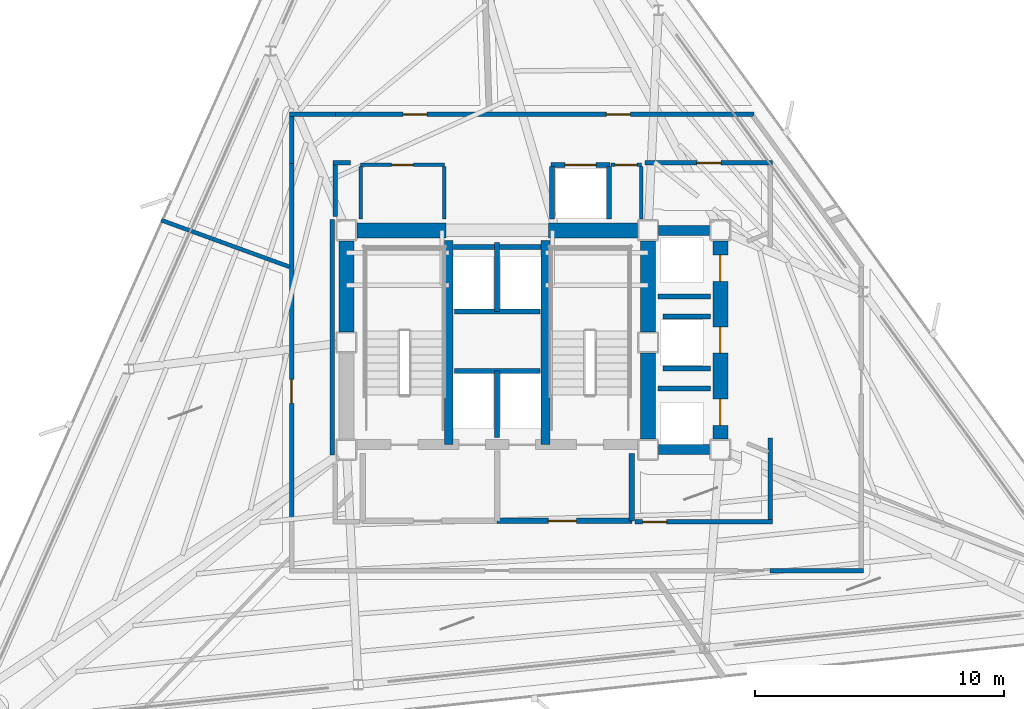
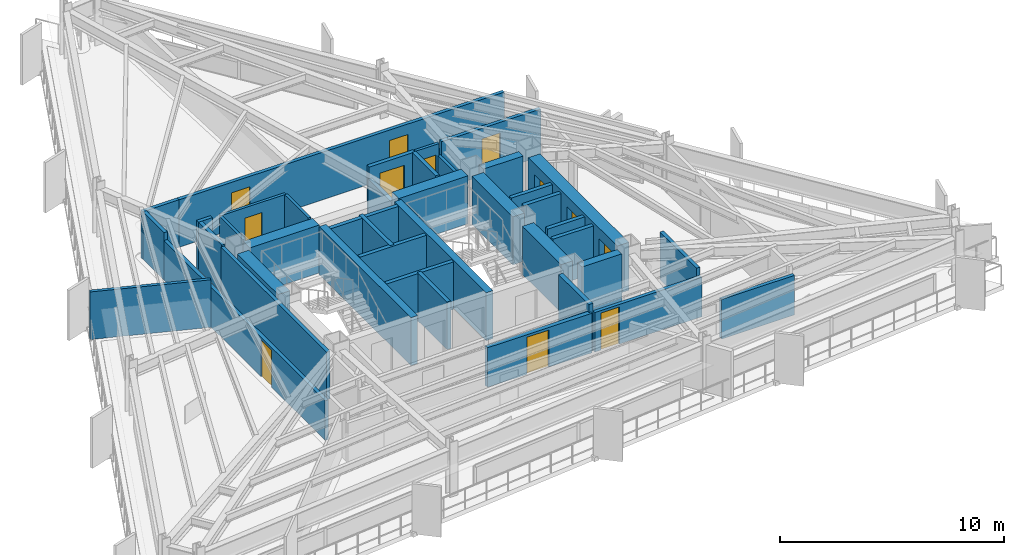
# One storey, part 8 of 13: 41 walls, 12 doors, 12 openings.
"""IFC4 building model written with IfcOpenShell, lengths in metres."""

import ifcopenshell
import ifcopenshell.guid

model = None  # the IFC model being written
_history = None  # IfcOwnerHistory: only IFC2X3 demands one
_inside = {}  # id of a spatial element -> (the spatial element, [elements in it])
_under = {}  # id of a project, library or spatial element -> (it, [spatial elements below it])
_declared = {}  # id of a project -> (the project, [libraries it declares])
_typed = {}  # id of a type object -> (the type object, [elements of that type])
_made_of = {}  # id of a material, layer set ... -> (it, [elements and type objects made of it])


def new_model(schema):
    """Start an empty IFC model of exactly this schema.

    Asked for "IFC4X3", IfcOpenShell would pick the latest addendum, in which some entities
    have other attributes; the version numbers below select the first issue.
    IFC2X3 requires an IfcOwnerHistory on every rooted entity: one is made here for all.
    """
    global model, _history
    if schema == "IFC4X3":
        model = ifcopenshell.file(schema_version=(4, 3, 0, 0))
    else:
        model = ifcopenshell.file(schema=schema)
    _inside.clear()
    _under.clear()
    _declared.clear()
    _typed.clear()
    _made_of.clear()
    _history = None
    if model.schema == "IFC2X3":
        org = make("IfcOrganization", Name="unknown")
        user = make(
            "IfcPersonAndOrganization",
            ThePerson=make("IfcPerson", FamilyName="unknown"),
            TheOrganization=org,
        )
        app = make(
            "IfcApplication",
            ApplicationDeveloper=org,
            Version="unknown",
            ApplicationFullName="unknown",
            ApplicationIdentifier="unknown",
        )
        _history = make(
            "IfcOwnerHistory",
            OwningUser=user,
            OwningApplication=app,
            ChangeAction="ADDED",
            CreationDate=0,
        )
    return model


def make(cls, **values):
    """One entity of the class cls with the attributes given. An attribute that is None is left unset."""
    return model.create_entity(
        cls, **{name: value for name, value in values.items() if value is not None}
    )


def rooted(cls, **values):
    """An entity with a GlobalId (a new one), such as an element, a storey or a relation."""
    return make(cls, GlobalId=ifcopenshell.guid.new(), OwnerHistory=_history, **values)


def si_unit(unit_type, name, prefix=None):
    """IfcSIUnit, for example si_unit("LENGTHUNIT", "METRE", prefix="MILLI")."""
    return make("IfcSIUnit", UnitType=unit_type, Prefix=prefix, Name=name)


def assignment(units):
    """IfcUnitAssignment: the units of a project."""
    return None if units is None else make("IfcUnitAssignment", Units=units)


def point(xyz):
    """IfcCartesianPoint."""
    return None if xyz is None else make("IfcCartesianPoint", Coordinates=xyz)


def direction(xyz):
    """IfcDirection."""
    return None if xyz is None else make("IfcDirection", DirectionRatios=xyz)


def frame(location, z_axis=None, x_axis=None):
    """IfcAxis2Placement3D, a coordinate frame: its origin and axes. An axis left out is left unset."""
    return make(
        "IfcAxis2Placement3D",
        Location=point(location),
        Axis=direction(z_axis),
        RefDirection=direction(x_axis),
    )


def frame_2d(location, x_axis=None):
    """IfcAxis2Placement2D, a coordinate frame in the plane: its origin and x axis."""
    return make(
        "IfcAxis2Placement2D", Location=point(location), RefDirection=direction(x_axis)
    )


def origin():
    """The frame at (0, 0, 0) with its axes left unset."""
    return frame((0.0, 0.0, 0.0))


def place(relative_to, where):
    """IfcLocalPlacement: puts the frame where relative to a parent placement (None: the world)."""
    return make(
        "IfcLocalPlacement", PlacementRelTo=relative_to, RelativePlacement=where
    )


def context(
    kind, dimensions, precision=None, world=None, true_north=None, identifier=None
):
    """IfcGeometricRepresentationContext, for example the 3D "Model" context."""
    return make(
        "IfcGeometricRepresentationContext",
        ContextIdentifier=identifier,
        ContextType=kind,
        CoordinateSpaceDimension=dimensions,
        Precision=precision,
        WorldCoordinateSystem=world,
        TrueNorth=true_north,
    )


def subcontext(parent, identifier, kind, view, scale=None):
    """IfcGeometricRepresentationSubContext, for example "Body" below "Model"."""
    return make(
        "IfcGeometricRepresentationSubContext",
        ContextIdentifier=identifier,
        ContextType=kind,
        ParentContext=parent,
        TargetScale=scale,
        TargetView=view,
    )


def project(units=None, contexts=None):
    """IfcProject with its units and contexts."""
    return rooted(
        "IfcProject",
        Name="project",
        RepresentationContexts=contexts,
        UnitsInContext=assignment(units),
    )


def spatial(cls, under=None, at=None, **own):
    """A site, building, storey or space (cls), placed at a placement, below another one or the project."""
    s = rooted(cls, ObjectPlacement=at, **own)
    if under is not None:
        _under.setdefault(under.id(), (under, []))[1].append(s)
    return s


def profile(cls, at=None, kind="AREA", **sizes):
    """A parametric profile (cls). Its sizes go by their IFC names, for example OverallWidth=200.0."""
    return make(cls, ProfileType=kind, Position=at, **sizes)


def rectangle(**sizes):
    """IfcRectangleProfileDef."""
    return profile("IfcRectangleProfileDef", **sizes)


def extrude(swept, where, along, depth):
    """IfcExtrudedAreaSolid: the profile swept, set in the frame where, extruded along a direction by depth."""
    return make(
        "IfcExtrudedAreaSolid",
        SweptArea=swept,
        Position=where,
        ExtrudedDirection=direction(along),
        Depth=depth,
    )


def shape(context_of_items, identifier, shape_type, items):
    """IfcShapeRepresentation: the items that make up one representation, for example the "Body"."""
    return make(
        "IfcShapeRepresentation",
        ContextOfItems=context_of_items,
        RepresentationIdentifier=identifier,
        RepresentationType=shape_type,
        Items=items,
    )


def material(Name=None, Category=None):
    """IfcMaterial."""
    return make("IfcMaterial", Name=Name, Category=Category)


def layer(
    of_material, thickness, ventilated=None, Name=None, Category=None, Priority=None
):
    """IfcMaterialLayer: one layer of a wall or slab, of a material (None: an air gap)."""
    return make(
        "IfcMaterialLayer",
        Material=of_material,
        LayerThickness=thickness,
        IsVentilated=ventilated,
        Name=Name,
        Category=Category,
        Priority=Priority,
    )


def layer_set(layers, Name=None):
    """IfcMaterialLayerSet."""
    return make("IfcMaterialLayerSet", MaterialLayers=layers, LayerSetName=Name)


def made_of(thing, what):
    """Note that an element or type object is made of a material, layer set ...; save() writes the relation."""
    if what is not None:
        _made_of.setdefault(what.id(), (what, []))[1].append(thing)
    return thing


def type_object(cls, material=None, **own):
    """A type object (cls), such as IfcWallType, which elements share."""
    return made_of(rooted(cls, **own), material)


def element(
    cls,
    number,
    at=None,
    inside=None,
    cuts=None,
    type_object=None,
    material=None,
    context=None,
    identifier="Body",
    shape_type=None,
    held_by="IfcProductDefinitionShape",
    body=None,
    shapes=None,
    **own,
):
    """One element of the class cls, such as IfcWall. Its Tag is "e" and its number.

    at: its placement. inside: the storey or other place that contains it. cuts: it is an
    opening in that element (IfcRelVoidsElement). A single representation is given by context,
    identifier, shape_type and body (its items); several are given by shapes. held_by: the class
    of the entity that holds the representations. save() writes the other relations.
    """
    e = rooted(cls, Tag="e%d" % number, ObjectPlacement=at, **own)
    if body is not None:
        shapes = [shape(context, identifier, shape_type, body)]
    if shapes is not None:
        e.Representation = make(held_by, Representations=shapes)
    if inside is not None:
        _inside.setdefault(inside.id(), (inside, []))[1].append(e)
    if cuts is not None:
        rooted(
            "IfcRelVoidsElement", RelatingBuildingElement=cuts, RelatedOpeningElement=e
        )
    if type_object is not None:
        _typed.setdefault(type_object.id(), (type_object, []))[1].append(e)
    return made_of(e, material)


def fill(opening, filler):
    """IfcRelFillsElement: the door or window that sits in an opening."""
    return rooted(
        "IfcRelFillsElement",
        RelatingOpeningElement=opening,
        RelatedBuildingElement=filler,
    )


def aggregate(whole, parts):
    """IfcRelAggregates: a whole, such as a stair, and the parts it consists of."""
    return rooted("IfcRelAggregates", RelatingObject=whole, RelatedObjects=parts)


def save(model, path):
    """Write the relations noted so far, then the file.

    IfcRelAggregates (storeys below a building ...), IfcRelContainedInSpatialStructure (elements
    in a storey), IfcRelDefinesByType, IfcRelAssociatesMaterial and IfcRelDeclares: one each for
    every whole, place, type object, material and project.
    """
    for whole, parts in _under.values():
        aggregate(whole, parts)
    for where, things in _inside.values():
        rooted(
            "IfcRelContainedInSpatialStructure",
            RelatedElements=things,
            RelatingStructure=where,
        )
    for kind, things in _typed.values():
        rooted("IfcRelDefinesByType", RelatedObjects=things, RelatingType=kind)
    for what, things in _made_of.values():
        rooted("IfcRelAssociatesMaterial", RelatedObjects=things, RelatingMaterial=what)
    for by, libraries in _declared.values():
        rooted("IfcRelDeclares", RelatingContext=by, RelatedDefinitions=libraries)
    model.write(path)


model = new_model("IFC4")

# Units and contexts
model_context = context("Model", 3, precision=1e-05, world=origin(), true_north=direction((0.0, 1.0)))
body_context = subcontext(model_context, "Body", "Model", "MODEL_VIEW")
ifc_project = project(units=[si_unit("LENGTHUNIT", "METRE"), si_unit("AREAUNIT", "SQUARE_METRE"), si_unit("VOLUMEUNIT", "CUBIC_METRE"), si_unit("PLANEANGLEUNIT", "RADIAN"), si_unit("MASSUNIT", "GRAM", prefix="KILO")], contexts=[model_context])

# Site, building, storey
site_placement = place(None, origin())
site = spatial("IfcSite", under=ifc_project, at=site_placement, CompositionType="ELEMENT")
building_placement = place(site_placement, origin())
building = spatial("IfcBuilding", under=site, at=building_placement, Name="Rocaltana Carrier Exchange", CompositionType="ELEMENT")
storey_placement = place(building_placement, frame((0.0, 0.0, 122.8798828125)))
storey = spatial("IfcBuildingStorey", under=building, at=storey_placement, Name="L38", CompositionType="ELEMENT", Elevation=122.8798828125)

# Walls
ifc_material_1 = material(Name="Double Acoustic Gypsum Partition", Category="gypsum")
ifc_layer_1 = layer(ifc_material_1, 0.159912109375)
ifc_layer_set_1 = layer_set([ifc_layer_1], Name="Double Acoustic Gypsum Partition")
wall_type_1 = type_object("IfcWallType", Name="Acoustic Studio Partition 160 EI60", PredefinedType="PARTITIONING", material=ifc_layer_set_1)
wall_1_placement = place(storey_placement, frame((-8.330078125, 3.031982421875, 0.0), z_axis=(0.0, 0.0, 1.0), x_axis=(-0.939693198397, 0.342018556347, 0.0)))
element("IfcWall", 1, at=wall_1_placement, inside=storey, type_object=wall_type_1, Name="L38 Suite Divider Wall D10", PredefinedType="PARTITIONING", context=body_context, shape_type="SweptSolid", body=[
    extrude(rectangle(XDim=5.478515625, YDim=0.159912109375, at=frame_2d((2.7392578125, 0.0))), origin(), (0.0, 0.0, 1.0), 2.593017578125),
])
ifc_material_2 = material(Name="Concrete C50/60", Category="concrete")
ifc_layer_2 = layer(ifc_material_2, 0.35009765625)
ifc_layer_set_2 = layer_set([ifc_layer_2], Name="Concrete C50/60")
wall_type_2 = type_object("IfcWallType", Name="Core Internal Shear Wall 350", PredefinedType="SHEAR", material=ifc_layer_set_2)
for number, where, z_axis, x_axis, name in (
    (2, (-1.93994140625, -4.10009765625, 0.0), (0.0, 0.0, 1.0), (0.0, 1.0, 0.0), "L38 Core Shear Wall CW-STW"),
    (3, (1.93994140625, -4.10009765625, 0.0), (0.0, 0.0, 1.0), (0.0, 1.0, 0.0), "L38 Core Shear Wall CW-STE"),
):
    element("IfcWall", number, at=place(storey_placement, frame(where, z_axis=z_axis, x_axis=x_axis)), inside=storey, type_object=wall_type_2, Name=name, PredefinedType="SHEAR", context=body_context, shape_type="SweptSolid", body=[
        extrude(rectangle(XDim=8.2001953125, YDim=0.35009765625, at=frame_2d((4.10009765625, 0.0))), origin(), (0.0, 0.0, 1.0), 2.6181640625),
    ])
ifc_material_3 = material(Name="Concrete C50/60", Category="concrete")
ifc_layer_3 = layer(ifc_material_3, 0.39990234375)
ifc_layer_set_3 = layer_set([ifc_layer_3], Name="Concrete C50/60")
wall_type_3 = type_object("IfcWallType", Name="Core Internal Shear Wall 400", PredefinedType="SHEAR", material=ifc_layer_set_3)
for number, where, z_axis, x_axis, name in (
    (4, (6.47509765625, 4.5, 0.0), (0.0, 0.0, 1.0), (1.0, 0.0, 0.0), "L38 Core Shear Wall CW-EWN"),
    (5, (6.47509765625, -4.300048828125, 0.0), (0.0, 0.0, 1.0), (1.0, 0.0, 0.0), "L38 Core Shear Wall CW-EWS"),
):
    element("IfcWall", number, at=place(storey_placement, frame(where, z_axis=z_axis, x_axis=x_axis)), inside=storey, type_object=wall_type_3, Name=name, PredefinedType="SHEAR", context=body_context, shape_type="SweptSolid", body=[
        extrude(rectangle(XDim=2.0498046875, YDim=0.39990234375, at=frame_2d((1.02490234375, 0.0))), origin(), (0.0, 0.0, 1.0), 2.6181640625),
    ])
ifc_material_4 = material(Name="Concrete C50/60", Category="concrete")
ifc_layer_4 = layer(ifc_material_4, 0.60009765625)
ifc_layer_set_4 = layer_set([ifc_layer_4], Name="Concrete C50/60")
wall_type_4 = type_object("IfcWallType", Name="Core Shear Wall 600", PredefinedType="SHEAR", material=ifc_layer_set_4)
for number, where, z_axis, x_axis, name in (
    (6, (-6.050048828125, 0.425048828125, 0.0), (0.0, 0.0, 1.0), (0.0, 1.0, 0.0), "L38 Core Shear Wall CW-WN"),
    (7, (6.050048828125, 0.425048828125, 0.0), (0.0, 0.0, 1.0), (0.0, 1.0, 0.0), "L38 Core Shear Wall CW-EN"),
):
    element("IfcWall", number, at=place(storey_placement, frame(where, z_axis=z_axis, x_axis=x_axis)), inside=storey, type_object=wall_type_4, Name=name, PredefinedType="SHEAR", context=body_context, shape_type="SweptSolid", body=[
        extrude(rectangle(XDim=3.64990234375, YDim=0.60009765625, at=frame_2d((1.824951171875, 0.0))), origin(), (0.0, 0.0, 1.0), 2.6181640625),
    ])
wall_2_placement = place(storey_placement, frame((6.050048828125, -3.875, 0.0), z_axis=(0.0, 0.0, 1.0), x_axis=(0.0, 1.0, 0.0)))
element("IfcWall", 8, at=wall_2_placement, inside=storey, type_object=wall_type_4, Name="L38 Core Shear Wall CW-ES", PredefinedType="SHEAR", context=body_context, shape_type="SweptSolid", body=[
    extrude(rectangle(XDim=3.449951171875, YDim=0.60009765625, at=frame_2d((1.72509765625, 0.0))), origin(), (0.0, 0.0, 1.0), 2.6181640625),
])
for number, where, z_axis, x_axis, name in (
    (9, (-5.625, 4.5, 0.0), (0.0, 0.0, 1.0), (1.0, 0.0, 0.0), "L38 Core Shear Wall CW-N1"),
    (10, (2.050048828125, 4.5, 0.0), (0.0, 0.0, 1.0), (1.0, 0.0, 0.0), "L38 Core Shear Wall CW-N2"),
):
    element("IfcWall", number, at=place(storey_placement, frame(where, z_axis=z_axis, x_axis=x_axis)), inside=storey, type_object=wall_type_4, Name=name, PredefinedType="SHEAR", context=body_context, shape_type="SweptSolid", body=[
        extrude(rectangle(XDim=3.574951171875, YDim=0.60009765625, at=frame_2d((1.78759765625, 0.0))), origin(), (0.0, 0.0, 1.0), 2.6181640625),
    ])

# Wall, openings, doors
wall_3_placement = place(storey_placement, frame((8.949951171875, -3.875, 0.0), z_axis=(0.0, 0.0, 1.0), x_axis=(0.0, 1.0, 0.0)))
wall_3 = element("IfcWall", 11, at=wall_3_placement, inside=storey, type_object=wall_type_4, Name="L38 Core Shear Wall CW-EW", PredefinedType="SHEAR", context=body_context, shape_type="SweptSolid", body=[
    extrude(rectangle(XDim=7.949951171875, YDim=0.60009765625, at=frame_2d((3.97509765625, 0.0))), origin(), (0.0, 0.0, 1.0), 2.6181640625),
])
opening_1_placement = place(wall_3_placement, frame((0.550048828125, 0.0, 0.0)))
opening_1 = element("IfcOpeningElement", 12, at=opening_1_placement, cuts=wall_3, Name="Opening LD-110", PredefinedType="OPENING", context=body_context, shape_type="SweptSolid", body=[
    extrude(rectangle(XDim=1.06005859375, YDim=2.0400390625, at=frame_2d((0.530029296875, 1.02001953125))), frame((0.0, 0.31005859375, 0.0), z_axis=(0.0, -1.0, 0.0), x_axis=(1.0, 0.0, 0.0)), (0.0, 0.0, 1.0), 0.6201171875),
])
opening_2_placement = place(wall_3_placement, frame((3.445068359375, 0.0, 0.0)))
opening_2 = element("IfcOpeningElement", 13, at=opening_2_placement, cuts=wall_3, Name="Opening LD-110", PredefinedType="OPENING", context=body_context, shape_type="SweptSolid", body=[
    extrude(rectangle(XDim=1.06005859375, YDim=2.0400390625, at=frame_2d((0.530029296875, 1.02001953125))), frame((0.0, 0.31005859375, 0.0), z_axis=(0.0, -1.0, 0.0), x_axis=(1.0, 0.0, 0.0)), (0.0, 0.0, 1.0), 0.6201171875),
])
opening_3_placement = place(wall_3_placement, frame((6.330078125, 0.0, 0.0)))
opening_3 = element("IfcOpeningElement", 14, at=opening_3_placement, cuts=wall_3, Name="Opening LD-110", PredefinedType="OPENING", context=body_context, shape_type="SweptSolid", body=[
    extrude(rectangle(XDim=1.06005859375, YDim=2.0400390625, at=frame_2d((0.530029296875, 1.02001953125))), frame((0.0, 0.31005859375, 0.0), z_axis=(0.0, -1.0, 0.0), x_axis=(1.0, 0.0, 0.0)), (0.0, 0.0, 1.0), 0.6201171875),
])
ifc_material_5 = material(Name="Brushed Stainless Sliding Door Leaf", Category="steel")
door_type_1 = type_object("IfcDoorType", Name="Lift Landing Sliding Door 1060x2040", OperationType="NOTDEFINED", PredefinedType="DOOR", material=ifc_material_5)
door_1_placement = place(opening_1_placement, origin())
door_1 = element("IfcDoor", 15, at=door_1_placement, inside=storey, type_object=door_type_1, Name="L38 Mid-Rise Lift PL-M1 Landing Door", OperationType="SLIDING_TO_LEFT", OverallHeight=2.0400390625, OverallWidth=1.06005859375, PredefinedType="DOOR", context=body_context, shape_type="SweptSolid", body=[
    extrude(rectangle(XDim=1.06005859375, YDim=2.0400390625, at=frame_2d((0.530029296875, 1.02001953125))), frame((0.0, 0.02490234375, 0.0), z_axis=(0.0, -1.0, 0.0), x_axis=(1.0, 0.0, 0.0)), (0.0, 0.0, 1.0), 0.050048828125),
])
fill(opening_1, door_1)
door_2_placement = place(opening_2_placement, origin())
door_2 = element("IfcDoor", 16, at=door_2_placement, inside=storey, type_object=door_type_1, Name="L38 Mid-Rise Lift PL-M2 Landing Door", OperationType="SLIDING_TO_RIGHT", OverallHeight=2.0400390625, OverallWidth=1.06005859375, PredefinedType="DOOR", context=body_context, shape_type="SweptSolid", body=[
    extrude(rectangle(XDim=1.06005859375, YDim=2.0400390625, at=frame_2d((0.530029296875, 1.02001953125))), frame((0.0, 0.02490234375, 0.0), z_axis=(0.0, -1.0, 0.0), x_axis=(1.0, 0.0, 0.0)), (0.0, 0.0, 1.0), 0.050048828125),
])
fill(opening_2, door_2)
door_3_placement = place(opening_3_placement, origin())
door_3 = element("IfcDoor", 17, at=door_3_placement, inside=storey, type_object=door_type_1, Name="L38 Mid-Rise Lift PL-M3 Landing Door", OperationType="SLIDING_TO_LEFT", OverallHeight=2.0400390625, OverallWidth=1.06005859375, PredefinedType="DOOR", context=body_context, shape_type="SweptSolid", body=[
    extrude(rectangle(XDim=1.06005859375, YDim=2.0400390625, at=frame_2d((0.530029296875, 1.02001953125))), frame((0.0, 0.02490234375, 0.0), z_axis=(0.0, -1.0, 0.0), x_axis=(1.0, 0.0, 0.0)), (0.0, 0.0, 1.0), 0.050048828125),
])
fill(opening_3, door_3)

# Wall, opening, door
ifc_material_6 = material(Name="Gypsum & Steel Stud Partition", Category="steel")
ifc_layer_5 = layer(ifc_material_6, 0.179931640625)
ifc_layer_set_5 = layer_set([ifc_layer_5], Name="Gypsum & Steel Stud Partition")
wall_type_5 = type_object("IfcWallType", Name="Corridor Fire Partition 180 EI60", PredefinedType="PARTITIONING", material=ifc_layer_set_5)
wall_4_placement = place(storey_placement, frame((-8.25, -7.219970703125, 0.0), z_axis=(0.0, 0.0, 1.0), x_axis=(0.0, 1.0, 0.0)))
wall_4 = element("IfcWall", 18, at=wall_4_placement, inside=storey, type_object=wall_type_5, Name="L38 Corridor Partition 3", PredefinedType="PARTITIONING", context=body_context, shape_type="SweptSolid", body=[
    extrude(rectangle(XDim=14.43994140625, YDim=0.179931640625, at=frame_2d((7.219970703125, 0.0))), origin(), (0.0, 0.0, 1.0), 2.16015625),
])
opening_4_placement = place(wall_4_placement, frame((4.77490234375, 0.0, 0.0)))
opening_4 = element("IfcOpeningElement", 19, at=opening_4_placement, cuts=wall_4, Name="Opening D-RM098", PredefinedType="OPENING", context=body_context, shape_type="SweptSolid", body=[
    extrude(rectangle(XDim=0.9599609375, YDim=2.02001953125, at=frame_2d((0.47998046875, 1.010009765625))), frame((0.0, 0.099853515625, 0.0), z_axis=(0.0, -1.0, 0.0), x_axis=(1.0, 0.0, 0.0)), (0.0, 0.0, 1.0), 0.199951171875),
])
ifc_material_7 = material(Name="Engineered Hardwood Timber", Category="wood")
door_type_2 = type_object("IfcDoorType", Name="Workspace Single Door 960x2020", OperationType="NOTDEFINED", PredefinedType="DOOR", material=ifc_material_7)
door_4_placement = place(opening_4_placement, origin())
door_4 = element("IfcDoor", 20, at=door_4_placement, inside=storey, type_object=door_type_2, Name="L38 Quiet Focus Lounge Entrance Door", OperationType="SINGLE_SWING_LEFT", OverallHeight=2.02001953125, OverallWidth=0.9599609375, PredefinedType="DOOR", context=body_context, shape_type="SweptSolid", body=[
    extrude(rectangle(XDim=0.9599609375, YDim=2.02001953125, at=frame_2d((0.47998046875, 1.010009765625))), frame((0.0, 0.02490234375, 0.0), z_axis=(0.0, -1.0, 0.0), x_axis=(1.0, 0.0, 0.0)), (0.0, 0.0, 1.0), 0.050048828125),
])
fill(opening_4, door_4)

# Walls
wall_5_placement = place(storey_placement, frame((-8.25, 7.179931640625, 0.0), z_axis=(0.0, 0.0, 1.0), x_axis=(0.0, 1.0, 0.0)))
element("IfcWall", 21, at=wall_5_placement, inside=storey, type_object=wall_type_5, Name="L38 Corridor Partition 4", PredefinedType="PARTITIONING", context=body_context, shape_type="SweptSolid", body=[
    extrude(rectangle(XDim=1.880126953125, YDim=0.179931640625, at=frame_2d((0.93994140625, 0.0))), origin(), (0.0, 0.0, 1.0), 2.593017578125),
])
wall_6_placement = place(storey_placement, frame((-8.340087890625, 9.14990234375, 0.0), z_axis=(0.0, 0.0, 1.0), x_axis=(1.0, 0.0, 0.0)))
element("IfcWall", 22, at=wall_6_placement, inside=storey, type_object=wall_type_5, Name="L38 Corridor Partition 5", PredefinedType="PARTITIONING", context=body_context, shape_type="SweptSolid", body=[
    extrude(rectangle(XDim=1.860107421875, YDim=0.179931640625, at=frame_2d((0.93017578125, 0.0))), origin(), (0.0, 0.0, 1.0), 2.593017578125),
])

# Wall, openings, doors
wall_7_placement = place(storey_placement, frame((-6.52001953125, 9.14990234375, 0.0), z_axis=(0.0, 0.0, 1.0), x_axis=(1.0, 0.0, 0.0)))
wall_7 = element("IfcWall", 23, at=wall_7_placement, inside=storey, type_object=wall_type_5, Name="L38 Corridor Partition 6", PredefinedType="PARTITIONING", context=body_context, shape_type="SweptSolid", body=[
    extrude(rectangle(XDim=16.820068359375, YDim=0.179931640625, at=frame_2d((8.41015625, 0.0))), origin(), (0.0, 0.0, 1.0), 2.593017578125),
])
opening_5_placement = place(wall_7_placement, frame((10.8984375, 0.0, 0.0)))
opening_5 = element("IfcOpeningElement", 24, at=opening_5_placement, cuts=wall_7, Name="Opening D-RM098", PredefinedType="OPENING", context=body_context, shape_type="SweptSolid", body=[
    extrude(rectangle(XDim=0.9599609375, YDim=2.02001953125, at=frame_2d((0.47998046875, 1.010009765625))), frame((0.0, 0.099853515625, 0.0), z_axis=(0.0, -1.0, 0.0), x_axis=(1.0, 0.0, 0.0)), (0.0, 0.0, 1.0), 0.199951171875),
])
opening_6_placement = place(wall_7_placement, frame((2.7490234375, 0.0, 0.0)))
opening_6 = element("IfcOpeningElement", 25, at=opening_6_placement, cuts=wall_7, Name="Opening D-RM098", PredefinedType="OPENING", context=body_context, shape_type="SweptSolid", body=[
    extrude(rectangle(XDim=0.9599609375, YDim=2.02001953125, at=frame_2d((0.47998046875, 1.010009765625))), frame((0.0, 0.099853515625, 0.0), z_axis=(0.0, -1.0, 0.0), x_axis=(1.0, 0.0, 0.0)), (0.0, 0.0, 1.0), 0.199951171875),
])
door_5_placement = place(opening_5_placement, origin())
door_5 = element("IfcDoor", 26, at=door_5_placement, inside=storey, type_object=door_type_2, Name="L38 Quiet Focus Lounge Entrance Door", OperationType="SINGLE_SWING_LEFT", OverallHeight=2.02001953125, OverallWidth=0.9599609375, PredefinedType="DOOR", context=body_context, shape_type="SweptSolid", body=[
    extrude(rectangle(XDim=0.9599609375, YDim=2.02001953125, at=frame_2d((0.47998046875, 1.010009765625))), frame((0.0, 0.02490234375, 0.0), z_axis=(0.0, -1.0, 0.0), x_axis=(1.0, 0.0, 0.0)), (0.0, 0.0, 1.0), 0.050048828125),
])
fill(opening_5, door_5)
door_6_placement = place(opening_6_placement, origin())
door_6 = element("IfcDoor", 27, at=door_6_placement, inside=storey, type_object=door_type_2, Name="L38 Quiet Focus Lounge Entrance Door", OperationType="SINGLE_SWING_RIGHT", OverallHeight=2.02001953125, OverallWidth=0.9599609375, PredefinedType="DOOR", context=body_context, shape_type="SweptSolid", body=[
    extrude(rectangle(XDim=0.9599609375, YDim=2.02001953125, at=frame_2d((0.47998046875, 1.010009765625))), frame((0.0, 0.02490234375, 0.0), z_axis=(0.0, -1.0, 0.0), x_axis=(1.0, 0.0, 0.0)), (0.0, 0.0, 1.0), 0.050048828125),
])
fill(opening_6, door_6)

# Wall
wall_8_placement = place(storey_placement, frame((14.68994140625, -9.14990234375, 0.0), z_axis=(0.0, 0.0, 1.0), x_axis=(-1.0, 0.0, 0.0)))
element("IfcWall", 28, at=wall_8_placement, inside=storey, type_object=wall_type_5, Name="L38 Corridor Partition 10", PredefinedType="PARTITIONING", context=body_context, shape_type="SweptSolid", body=[
    extrude(rectangle(XDim=3.75, YDim=0.179931640625, at=frame_2d((1.875, 0.0))), origin(), (0.0, 0.0, 1.0), 2.16015625),
])

# Wall, opening, door
wall_9_placement = place(storey_placement, frame((5.530029296875, -7.199951171875, 0.0), z_axis=(0.0, 0.0, 1.0), x_axis=(1.0, 0.0, 0.0)))
wall_9 = element("IfcWall", 29, at=wall_9_placement, inside=storey, type_object=wall_type_5, Name="L38 Corridor Partition 12", PredefinedType="PARTITIONING", context=body_context, shape_type="SweptSolid", body=[
    extrude(rectangle(XDim=5.52001953125, YDim=0.179931640625, at=frame_2d((2.760009765625, 0.0))), origin(), (0.0, 0.0, 1.0), 2.16015625),
])
opening_7_placement = place(wall_9_placement, frame((0.3046875, 0.0, 0.0)))
opening_7 = element("IfcOpeningElement", 30, at=opening_7_placement, cuts=wall_9, Name="Opening D-RM098", PredefinedType="OPENING", context=body_context, shape_type="SweptSolid", body=[
    extrude(rectangle(XDim=0.9599609375, YDim=2.02001953125, at=frame_2d((0.47998046875, 1.010009765625))), frame((0.0, 0.099853515625, 0.0), z_axis=(0.0, -1.0, 0.0), x_axis=(1.0, 0.0, 0.0)), (0.0, 0.0, 1.0), 0.199951171875),
])
door_7_placement = place(opening_7_placement, origin())
door_7 = element("IfcDoor", 31, at=door_7_placement, inside=storey, type_object=door_type_2, Name="L38 Cloud Architecture Office Entrance Door", OperationType="SINGLE_SWING_LEFT", OverallHeight=2.02001953125, OverallWidth=0.9599609375, PredefinedType="DOOR", context=body_context, shape_type="SweptSolid", body=[
    extrude(rectangle(XDim=0.9599609375, YDim=2.02001953125, at=frame_2d((0.47998046875, 1.010009765625))), frame((0.0, 0.02490234375, 0.0), z_axis=(0.0, -1.0, 0.0), x_axis=(1.0, 0.0, 0.0)), (0.0, 0.0, 1.0), 0.050048828125),
])
fill(opening_7, door_7)

# Wall
wall_10_placement = place(storey_placement, frame((10.9599609375, -7.110107421875, 0.0), z_axis=(0.0, 0.0, 1.0), x_axis=(0.0, 1.0, 0.0)))
element("IfcWall", 32, at=wall_10_placement, inside=storey, type_object=wall_type_5, Name="L38 Corridor Partition 13", PredefinedType="PARTITIONING", context=body_context, shape_type="SweptSolid", body=[
    extrude(rectangle(XDim=3.2705078125, YDim=0.179931640625, at=frame_2d((1.63525390625, 0.0))), origin(), (0.0, 0.0, 1.0), 2.593017578125),
])

# Wall, opening, door
wall_11_placement = place(storey_placement, frame((11.050048828125, 7.199951171875, 0.0), z_axis=(0.0, 0.0, 1.0), x_axis=(-1.0, 0.0, 0.0)))
wall_11 = element("IfcWall", 33, at=wall_11_placement, inside=storey, type_object=wall_type_5, Name="L38 Corridor Partition 15", PredefinedType="PARTITIONING", context=body_context, shape_type="SweptSolid", body=[
    extrude(rectangle(XDim=5.1201171875, YDim=0.179931640625, at=frame_2d((2.56005859375, 0.0))), origin(), (0.0, 0.0, 1.0), 2.593017578125),
])
opening_8_placement = place(wall_11_placement, frame((2.080078125, 0.0, 0.0)))
opening_8 = element("IfcOpeningElement", 34, at=opening_8_placement, cuts=wall_11, Name="Opening D-RM098", PredefinedType="OPENING", context=body_context, shape_type="SweptSolid", body=[
    extrude(rectangle(XDim=0.9599609375, YDim=2.02001953125, at=frame_2d((0.47998046875, 1.010009765625))), frame((0.0, 0.099853515625, 0.0), z_axis=(0.0, -1.0, 0.0), x_axis=(1.0, 0.0, 0.0)), (0.0, 0.0, 1.0), 0.199951171875),
])
door_8_placement = place(opening_8_placement, origin())
door_8 = element("IfcDoor", 35, at=door_8_placement, inside=storey, type_object=door_type_2, Name="L38 Peering Conference Room Entrance Door", OperationType="SINGLE_SWING_RIGHT", OverallHeight=2.02001953125, OverallWidth=0.9599609375, PredefinedType="DOOR", context=body_context, shape_type="SweptSolid", body=[
    extrude(rectangle(XDim=0.9599609375, YDim=2.02001953125, at=frame_2d((0.47998046875, 1.010009765625))), frame((0.0, 0.02490234375, 0.0), z_axis=(0.0, -1.0, 0.0), x_axis=(1.0, 0.0, 0.0)), (0.0, 0.0, 1.0), 0.050048828125),
])
fill(opening_8, door_8)

# Walls
wall_12_placement = place(storey_placement, frame((-5.8798828125, 7.199951171875, 0.0), z_axis=(0.0, 0.0, 1.0), x_axis=(-1.0, 0.0, 0.0)))
element("IfcWall", 36, at=wall_12_placement, inside=storey, type_object=wall_type_5, Name="L38 Corridor Partition 16", PredefinedType="PARTITIONING", context=body_context, shape_type="SweptSolid", body=[
    extrude(rectangle(XDim=0.710205078125, YDim=0.179931640625, at=frame_2d((0.35498046875, 0.0))), origin(), (0.0, 0.0, 1.0), 2.593017578125),
])
wall_13_placement = place(storey_placement, frame((-6.5, 7.110107421875, 0.0), z_axis=(0.0, 0.0, 1.0), x_axis=(0.0, -1.0, 0.0)))
element("IfcWall", 37, at=wall_13_placement, inside=storey, type_object=wall_type_5, Name="L38 Corridor Partition 17", PredefinedType="PARTITIONING", context=body_context, shape_type="SweptSolid", body=[
    extrude(rectangle(XDim=2.058349609375, YDim=0.179931640625, at=frame_2d((1.029296875, 0.0))), origin(), (0.0, 0.0, 1.0), 2.593017578125),
])
wall_14_placement = place(storey_placement, frame((-6.610107421875, 4.93994140625, 0.0), z_axis=(0.0, 0.0, 1.0), x_axis=(0.0, -1.0, 0.0)))
element("IfcWall", 38, at=wall_14_placement, inside=storey, type_object=wall_type_5, Name="L38 Corridor Partition 18", PredefinedType="PARTITIONING", context=body_context, shape_type="SweptSolid", body=[
    extrude(rectangle(XDim=9.4599609375, YDim=0.179931640625, at=frame_2d((4.72998046875, 0.0))), origin(), (0.0, 0.0, 1.0), 2.593017578125),
])
ifc_material_8 = material(Name="Autoclaved Aerated Concrete C30/37", Category="concrete")
ifc_layer_6 = layer(ifc_material_8, 0.219970703125)
ifc_layer_set_6 = layer_set([ifc_layer_6], Name="Autoclaved Aerated Concrete C30/37")
wall_type_6 = type_object("IfcWallType", Name="Firefighting Lobby Wall 220 EI120", PredefinedType="PARTITIONING", material=ifc_layer_set_6)
wall_15_placement = place(storey_placement, frame((5.39990234375, -7.159912109375, 0.0), z_axis=(0.0, 0.0, 1.0), x_axis=(0.0, 1.0, 0.0)))
element("IfcWall", 39, at=wall_15_placement, inside=storey, type_object=wall_type_6, Name="L38 FFL Lobby 2 East Wall", PredefinedType="PARTITIONING", context=body_context, shape_type="SweptSolid", body=[
    extrude(rectangle(XDim=2.7099609375, YDim=0.219970703125, at=frame_2d((1.35498046875, 0.0))), origin(), (0.0, 0.0, 1.0), 2.593017578125),
])

# Wall, opening, door
wall_16_placement = place(storey_placement, frame((0.0, -7.159912109375, 0.0), z_axis=(0.0, 0.0, 1.0), x_axis=(1.0, 0.0, 0.0)))
wall_16 = element("IfcWall", 40, at=wall_16_placement, inside=storey, type_object=wall_type_6, Name="L38 FFL Lobby 2 South Wall", PredefinedType="PARTITIONING", context=body_context, shape_type="SweptSolid", body=[
    extrude(rectangle(XDim=5.39990234375, YDim=0.219970703125, at=frame_2d((2.699951171875, 0.0))), origin(), (0.0, 0.0, 1.0), 2.16015625),
])
opening_9_placement = place(wall_16_placement, frame((2.050048828125, 0.0, 0.0)))
opening_9 = element("IfcOpeningElement", 41, at=opening_9_placement, cuts=wall_16, Name="Opening D-FF115", PredefinedType="OPENING", context=body_context, shape_type="SweptSolid", body=[
    extrude(rectangle(XDim=1.1201171875, YDim=2.02001953125, at=frame_2d((0.56005859375, 1.010009765625))), frame((0.0, 0.119873046875, 0.0), z_axis=(0.0, -1.0, 0.0), x_axis=(1.0, 0.0, 0.0)), (0.0, 0.0, 1.0), 0.239990234375),
])
ifc_material_9 = material(Name="Hollow Metal Fire Door Assembly", Category="steel")
door_type_3 = type_object("IfcDoorType", Name="Firefighting Lobby Door 1120x2020 FD60S", OperationType="NOTDEFINED", PredefinedType="DOOR", material=ifc_material_9)
door_9_placement = place(opening_9_placement, origin())
door_9 = element("IfcDoor", 42, at=door_9_placement, inside=storey, type_object=door_type_3, Name="L38 Firefighting Lift Lobby 2 Door", OperationType="SINGLE_SWING_RIGHT", OverallHeight=2.02001953125, OverallWidth=1.1201171875, PredefinedType="DOOR", context=body_context, shape_type="SweptSolid", body=[
    extrude(rectangle(XDim=1.1201171875, YDim=2.02001953125, at=frame_2d((0.56005859375, 1.010009765625))), frame((0.0, 0.02490234375, 0.0), z_axis=(0.0, -1.0, 0.0), x_axis=(1.0, 0.0, 0.0)), (0.0, 0.0, 1.0), 0.050048828125),
])
fill(opening_9, door_9)

# Walls
ifc_material_10 = material(Name="Reinforced Concrete Block C35/45", Category="concrete")
ifc_layer_7 = layer(ifc_material_10, 0.199951171875)
ifc_layer_set_7 = layer_set([ifc_layer_7], Name="Reinforced Concrete Block C35/45")
wall_type_7 = type_object("IfcWallType", Name="Lift Hoistway Enclosure Wall 200 EI120", PredefinedType="PARTITIONING", material=ifc_layer_set_7)
wall_17_placement = place(storey_placement, frame((0.0, -3.820068359375, 0.0), z_axis=(0.0, 0.0, 1.0), x_axis=(0.0, 1.0, 0.0)))
element("IfcWall", 43, at=wall_17_placement, inside=storey, type_object=wall_type_7, Name="L38 FFL Shaft Divider", PredefinedType="PARTITIONING", context=body_context, shape_type="SweptSolid", body=[
    extrude(rectangle(XDim=2.670166015625, YDim=0.199951171875, at=frame_2d((1.3349609375, 0.0))), origin(), (0.0, 0.0, 1.0), 2.593017578125),
])
wall_18_placement = place(storey_placement, frame((-1.719970703125, -1.14990234375, 0.0), z_axis=(0.0, 0.0, 1.0), x_axis=(1.0, 0.0, 0.0)))
element("IfcWall", 44, at=wall_18_placement, inside=storey, type_object=wall_type_7, Name="L38 FFL Shaft Back Wall", PredefinedType="PARTITIONING", context=body_context, shape_type="SweptSolid", body=[
    extrude(rectangle(XDim=3.43994140625, YDim=0.199951171875, at=frame_2d((1.719970703125, 0.0))), origin(), (0.0, 0.0, 1.0), 2.593017578125),
])
wall_19_placement = place(storey_placement, frame((0.0, 1.25, 0.0), z_axis=(0.0, 0.0, 1.0), x_axis=(0.0, 1.0, 0.0)))
element("IfcWall", 45, at=wall_19_placement, inside=storey, type_object=wall_type_7, Name="L38 High-Rise Shaft Divider", PredefinedType="PARTITIONING", context=body_context, shape_type="SweptSolid", body=[
    extrude(rectangle(XDim=2.77001953125, YDim=0.199951171875, at=frame_2d((1.385009765625, 0.0))), origin(), (0.0, 0.0, 1.0), 2.593017578125),
])
wall_20_placement = place(storey_placement, frame((-1.719970703125, 1.25, 0.0), z_axis=(0.0, 0.0, 1.0), x_axis=(1.0, 0.0, 0.0)))
element("IfcWall", 46, at=wall_20_placement, inside=storey, type_object=wall_type_7, Name="L38 High-Rise Shaft Back Wall", PredefinedType="PARTITIONING", context=body_context, shape_type="SweptSolid", body=[
    extrude(rectangle(XDim=3.43994140625, YDim=0.199951171875, at=frame_2d((1.719970703125, 0.0))), origin(), (0.0, 0.0, 1.0), 2.593017578125),
])
wall_21_placement = place(storey_placement, frame((-1.760009765625, 3.820068359375, 0.0), z_axis=(0.0, 0.0, 1.0), x_axis=(1.0, 0.0, 0.0)))
element("IfcWall", 47, at=wall_21_placement, inside=storey, type_object=wall_type_7, Name="L38 High-Rise Lift Front Wall", PredefinedType="PARTITIONING", context=body_context, shape_type="SweptSolid", body=[
    extrude(rectangle(XDim=3.52001953125, YDim=0.199951171875, at=frame_2d((1.760009765625, 0.0))), origin(), (0.0, 0.0, 1.0), 2.593017578125),
])
wall_22_placement = place(storey_placement, frame((2.199951171875, 4.949951171875, 0.0), z_axis=(0.0, 0.0, 1.0), x_axis=(0.0, 1.0, 0.0)))
element("IfcWall", 48, at=wall_22_placement, inside=storey, type_object=wall_type_7, Name="L38 Goods Lift West Wall", PredefinedType="PARTITIONING", context=body_context, shape_type="SweptSolid", body=[
    extrude(rectangle(XDim=2.10009765625, YDim=0.199951171875, at=frame_2d((1.050048828125, 0.0))), origin(), (0.0, 0.0, 1.0), 1.962158203125),
])
wall_23_placement = place(storey_placement, frame((4.47998046875, 4.949951171875, 0.0), z_axis=(0.0, 0.0, 1.0), x_axis=(0.0, 1.0, 0.0)))
element("IfcWall", 49, at=wall_23_placement, inside=storey, type_object=wall_type_7, Name="L38 Goods Lift East Wall", PredefinedType="PARTITIONING", context=body_context, shape_type="SweptSolid", body=[
    extrude(rectangle(XDim=2.10009765625, YDim=0.199951171875, at=frame_2d((1.050048828125, 0.0))), origin(), (0.0, 0.0, 1.0), 2.593017578125),
])

# Wall, opening, door
wall_24_placement = place(storey_placement, frame((2.14990234375, 7.1201171875, 0.0), z_axis=(0.0, 0.0, 1.0), x_axis=(1.0, 0.0, 0.0)))
wall_24 = element("IfcWall", 50, at=wall_24_placement, inside=storey, type_object=wall_type_7, Name="L38 Goods Lift Front Wall", PredefinedType="PARTITIONING", context=body_context, shape_type="SweptSolid", body=[
    extrude(rectangle(XDim=2.380126953125, YDim=0.199951171875, at=frame_2d((1.18994140625, 0.0))), origin(), (0.0, 0.0, 1.0), 2.593017578125),
])
opening_10_placement = place(wall_24_placement, frame((0.56005859375, 0.0, 0.0)))
opening_10 = element("IfcOpeningElement", 51, at=opening_10_placement, cuts=wall_24, Name="Opening LD-130", PredefinedType="OPENING", context=body_context, shape_type="SweptSolid", body=[
    extrude(rectangle(XDim=1.260009765625, YDim=2.06005859375, at=frame_2d((0.6298828125, 1.030029296875))), frame((0.0, 0.10986328125, 0.0), z_axis=(0.0, -1.0, 0.0), x_axis=(1.0, 0.0, 0.0)), (0.0, 0.0, 1.0), 0.219970703125),
])
ifc_material_11 = material(Name="Brushed Stainless Sliding Door Leaf", Category="steel")
door_type_4 = type_object("IfcDoorType", Name="Goods Lift Landing Sliding Door 1260x2060", OperationType="NOTDEFINED", PredefinedType="DOOR", material=ifc_material_11)
door_10_placement = place(opening_10_placement, origin())
door_10 = element("IfcDoor", 52, at=door_10_placement, inside=storey, type_object=door_type_4, Name="L38 Goods Lift GL-1 Landing Door", OperationType="SLIDING_TO_LEFT", OverallHeight=2.06005859375, OverallWidth=1.260009765625, PredefinedType="DOOR", context=body_context, shape_type="SweptSolid", body=[
    extrude(rectangle(XDim=1.260009765625, YDim=2.06005859375, at=frame_2d((0.6298828125, 1.030029296875))), frame((0.0, 0.02490234375, 0.0), z_axis=(0.0, -1.0, 0.0), x_axis=(1.0, 0.0, 0.0)), (0.0, 0.0, 1.0), 0.050048828125),
])
fill(opening_10, door_10)

# Walls
for number, where, z_axis, x_axis, name in (
    (53, (6.449951171875, -1.85009765625, 0.0), (0.0, 0.0, 1.0), (1.0, 0.0, 0.0), "L38 Mid-Rise Shaft Divider 1"),
    (54, (6.449951171875, 1.85009765625, 0.0), (0.0, 0.0, 1.0), (1.0, 0.0, 0.0), "L38 Mid-Rise Shaft Divider 2"),
):
    element("IfcWall", number, at=place(storey_placement, frame(where, z_axis=z_axis, x_axis=x_axis)), inside=storey, type_object=wall_type_7, Name=name, PredefinedType="PARTITIONING", context=body_context, shape_type="SweptSolid", body=[
        extrude(rectangle(XDim=2.10009765625, YDim=0.199951171875, at=frame_2d((1.050048828125, 0.0))), origin(), (0.0, 0.0, 1.0), 2.593017578125),
    ])
for number, where, z_axis, x_axis, name in (
    (55, (6.639892578125, -1.050048828125, 0.0), (0.0, 0.0, 1.0), (1.0, 0.0, 0.0), "L38 Mid-Rise Center Shaft Wall South"),
    (56, (6.639892578125, 1.050048828125, 0.0), (0.0, 0.0, 1.0), (1.0, 0.0, 0.0), "L38 Mid-Rise Center Shaft Wall North"),
):
    element("IfcWall", number, at=place(storey_placement, frame(where, z_axis=z_axis, x_axis=x_axis)), inside=storey, type_object=wall_type_7, Name=name, PredefinedType="PARTITIONING", context=body_context, shape_type="SweptSolid", body=[
        extrude(rectangle(XDim=1.91015625, YDim=0.199951171875, at=frame_2d((0.955078125, 0.0))), origin(), (0.0, 0.0, 1.0), 2.593017578125),
    ])
ifc_material_12 = material(Name="Moisture-Resistant Masonry C30/37", Category="masonry")
ifc_layer_8 = layer(ifc_material_12, 0.139892578125)
ifc_layer_set_8 = layer_set([ifc_layer_8], Name="Moisture-Resistant Masonry C30/37")
wall_type_8 = type_object("IfcWallType", Name="Wet-Area Sanitary Partition 140", PredefinedType="PARTITIONING", material=ifc_layer_set_8)
for number, where, z_axis, x_axis, name in (
    (57, (-5.47998046875, 4.949951171875, 0.0), (0.0, 0.0, 1.0), (0.0, 1.0, 0.0), "L38 Sanitary West Wall"),
    (58, (-2.1201171875, 4.949951171875, 0.0), (0.0, 0.0, 1.0), (0.0, 1.0, 0.0), "L38 Sanitary East Wall"),
):
    element("IfcWall", number, at=place(storey_placement, frame(where, z_axis=z_axis, x_axis=x_axis)), inside=storey, type_object=wall_type_8, Name=name, PredefinedType="PARTITIONING", context=body_context, shape_type="SweptSolid", body=[
        extrude(rectangle(XDim=2.10009765625, YDim=0.139892578125, at=frame_2d((1.050048828125, 0.0))), origin(), (0.0, 0.0, 1.0), 2.593017578125),
    ])

# Wall, opening, door
wall_25_placement = place(storey_placement, frame((-5.47998046875, 7.1201171875, 0.0), z_axis=(0.0, 0.0, 1.0), x_axis=(1.0, 0.0, 0.0)))
wall_25 = element("IfcWall", 59, at=wall_25_placement, inside=storey, type_object=wall_type_8, Name="L38 Sanitary North Wall", PredefinedType="PARTITIONING", context=body_context, shape_type="SweptSolid", body=[
    extrude(rectangle(XDim=3.35986328125, YDim=0.139892578125, at=frame_2d((1.679931640625, 0.0))), origin(), (0.0, 0.0, 1.0), 2.593017578125),
])
opening_11_placement = place(wall_25_placement, frame((1.239990234375, 0.0, 0.0)))
opening_11 = element("IfcOpeningElement", 60, at=opening_11_placement, cuts=wall_25, Name="Opening D-WC090", PredefinedType="OPENING", context=body_context, shape_type="SweptSolid", body=[
    extrude(rectangle(XDim=0.8798828125, YDim=2.02001953125, at=frame_2d((0.43994140625, 1.010009765625))), frame((0.0, 0.079833984375, 0.0), z_axis=(0.0, -1.0, 0.0), x_axis=(1.0, 0.0, 0.0)), (0.0, 0.0, 1.0), 0.159912109375),
])
ifc_material_13 = material(Name="High-Pressure Laminate Timber", Category="wood")
door_type_5 = type_object("IfcDoorType", Name="Restroom & Accessible WC Door 880x2020", OperationType="NOTDEFINED", PredefinedType="DOOR", material=ifc_material_13)
door_11_placement = place(opening_11_placement, origin())
door_11 = element("IfcDoor", 61, at=door_11_placement, inside=storey, type_object=door_type_5, Name="L38 Accessible Toilet Door", OperationType="SINGLE_SWING_LEFT", OverallHeight=2.02001953125, OverallWidth=0.8798828125, PredefinedType="DOOR", context=body_context, shape_type="SweptSolid", body=[
    extrude(rectangle(XDim=0.8798828125, YDim=2.02001953125, at=frame_2d((0.43994140625, 1.010009765625))), frame((0.0, 0.02490234375, 0.0), z_axis=(0.0, -1.0, 0.0), x_axis=(1.0, 0.0, 0.0)), (0.0, 0.0, 1.0), 0.050048828125),
])
fill(opening_11, door_11)

# Wall
wall_26_placement = place(storey_placement, frame((5.780029296875, 4.949951171875, 0.0), z_axis=(0.0, 0.0, 1.0), x_axis=(0.0, 1.0, 0.0)))
element("IfcWall", 62, at=wall_26_placement, inside=storey, type_object=wall_type_8, Name="L38 Restroom East Wall", PredefinedType="PARTITIONING", context=body_context, shape_type="SweptSolid", body=[
    extrude(rectangle(XDim=2.10009765625, YDim=0.139892578125, at=frame_2d((1.050048828125, 0.0))), origin(), (0.0, 0.0, 1.0), 1.962158203125),
])

# Wall, opening, door
wall_27_placement = place(storey_placement, frame((4.56005859375, 7.1201171875, 0.0), z_axis=(0.0, 0.0, 1.0), x_axis=(1.0, 0.0, 0.0)))
wall_27 = element("IfcWall", 63, at=wall_27_placement, inside=storey, type_object=wall_type_8, Name="L38 Restroom North Wall", PredefinedType="PARTITIONING", context=body_context, shape_type="SweptSolid", body=[
    extrude(rectangle(XDim=1.219970703125, YDim=0.139892578125, at=frame_2d((0.60986328125, 0.0))), origin(), (0.0, 0.0, 1.0), 2.593017578125),
])
opening_12_placement = place(wall_27_placement, frame((0.169921875, 0.0, 0.0)))
opening_12 = element("IfcOpeningElement", 64, at=opening_12_placement, cuts=wall_27, Name="Opening D-WC090", PredefinedType="OPENING", context=body_context, shape_type="SweptSolid", body=[
    extrude(rectangle(XDim=0.8798828125, YDim=2.02001953125, at=frame_2d((0.43994140625, 1.010009765625))), frame((0.0, 0.079833984375, 0.0), z_axis=(0.0, -1.0, 0.0), x_axis=(1.0, 0.0, 0.0)), (0.0, 0.0, 1.0), 0.159912109375),
])
door_12_placement = place(opening_12_placement, origin())
door_12 = element("IfcDoor", 65, at=door_12_placement, inside=storey, type_object=door_type_5, Name="L38 Staff Restroom Door", OperationType="SINGLE_SWING_RIGHT", OverallHeight=2.02001953125, OverallWidth=0.8798828125, PredefinedType="DOOR", context=body_context, shape_type="SweptSolid", body=[
    extrude(rectangle(XDim=0.8798828125, YDim=2.02001953125, at=frame_2d((0.43994140625, 1.010009765625))), frame((0.0, 0.02490234375, 0.0), z_axis=(0.0, -1.0, 0.0), x_axis=(1.0, 0.0, 0.0)), (0.0, 0.0, 1.0), 0.050048828125),
])
fill(opening_12, door_12)

save(model, "model.ifc")
